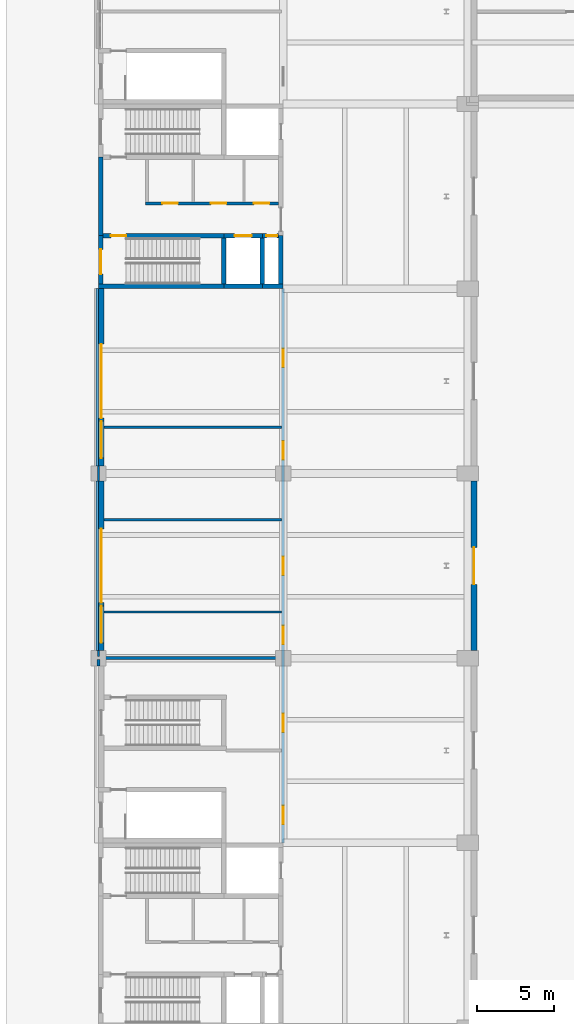
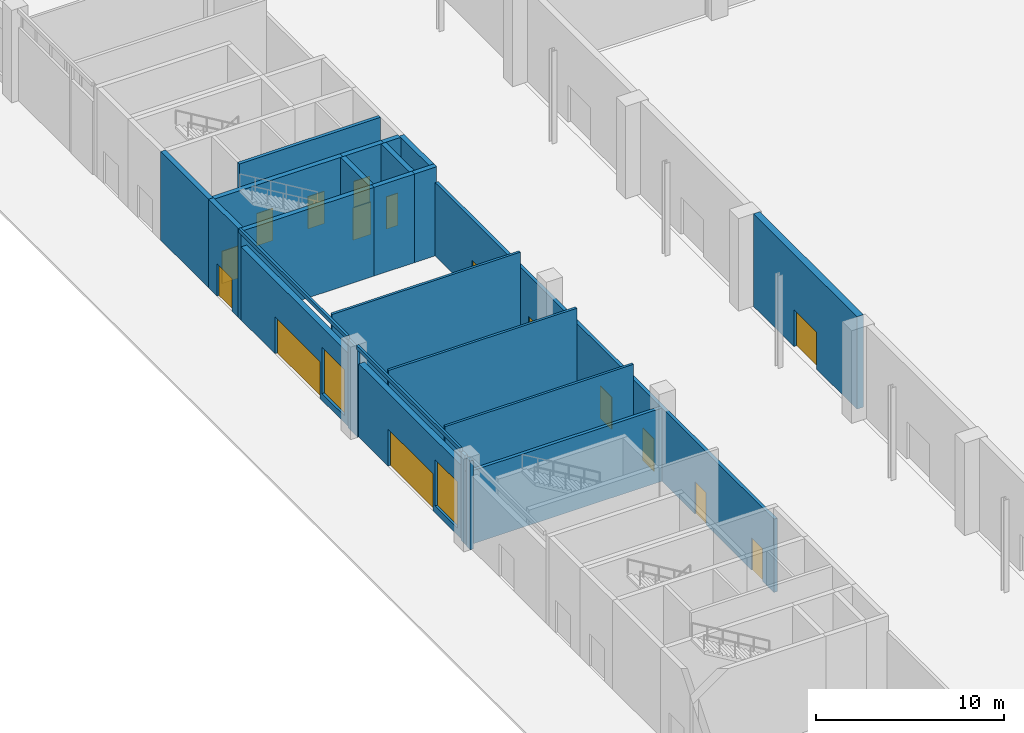
# One storey, part 36 of 59: 25 walls, 16 doors, 2 windows, 18 openings.
"""IFC4 building model written with IfcOpenShell, lengths in metres."""

from ifc_helpers import new_model, si_unit, direction, frame, frame_2d, origin, place, context, subcontext, project, spatial, rectangle, extrude, material, layer, layer_set, type_object, element, fill, save


model = new_model("IFC4")

# Units and contexts
model_context = context("Model", 3, precision=1e-05, world=origin(), true_north=direction((0.0, 1.0)))
body_context = subcontext(model_context, "Body", "Model", "MODEL_VIEW")
ifc_project = project(units=[si_unit("LENGTHUNIT", "METRE"), si_unit("AREAUNIT", "SQUARE_METRE"), si_unit("VOLUMEUNIT", "CUBIC_METRE"), si_unit("PLANEANGLEUNIT", "RADIAN"), si_unit("MASSUNIT", "GRAM", prefix="KILO")], contexts=[model_context])

# Site, building, storey
site_placement = place(None, origin())
site = spatial("IfcSite", under=ifc_project, at=site_placement, CompositionType="ELEMENT")
building_placement = place(site_placement, origin())
building = spatial("IfcBuilding", under=site, at=building_placement, Name="Lilac Gate Convention Centre", CompositionType="ELEMENT")
storey_placement = place(building_placement, origin())
storey = spatial("IfcBuildingStorey", under=building, at=storey_placement, Name="L00", CompositionType="ELEMENT", Elevation=0.0)

# Wall, opening, door
ifc_material_1 = material(Name="Concrete C30", Category="concrete")
ifc_layer_1 = layer(ifc_material_1, 0.39990234375)
ifc_layer_set_1 = layer_set([ifc_layer_1], Name="Concrete C30")
wall_type_1 = type_object("IfcWallType", Name="Hall fire wall 400", PredefinedType="SOLIDWALL", material=ifc_layer_set_1)
wall_1_placement = place(storey_placement, frame((30.39990234375, 66.5, 0.0), z_axis=(0.0, 0.0, 1.0), x_axis=(0.0, 1.0, 0.0)))
wall_1 = element("IfcWall", 1, at=wall_1_placement, inside=storey, type_object=wall_type_1, Name="Fire wall galleria FW L00 4", PredefinedType="SOLIDWALL", context=body_context, shape_type="SweptSolid", body=[
    extrude(rectangle(XDim=11.0, YDim=0.39990234375, at=frame_2d((5.5, 0.0))), origin(), (0.0, 0.0, 1.0), 6.0),
])
opening_1_placement = place(wall_1_placement, frame((4.300048828125, 0.0, 0.0)))
opening_1 = element("IfcOpeningElement", 2, at=opening_1_placement, cuts=wall_1, Name="Opening L00-023", PredefinedType="OPENING", context=body_context, shape_type="SweptSolid", body=[
    extrude(rectangle(XDim=2.39990234375, YDim=2.39990234375, at=frame_2d((1.199951171875, 1.199951171875))), frame((0.0, 0.2099609375, 0.0), z_axis=(0.0, -1.0, 0.0), x_axis=(1.0, 0.0, 0.0)), (0.0, 0.0, 1.0), 0.419921875),
])
ifc_material_2 = material(Name="Steel Q235B", Category="steel")
door_type_1 = type_object("IfcDoorType", Name="Door 2400 x 2400 double leaf FD90", OperationType="DOUBLE_DOOR_SINGLE_SWING", PredefinedType="DOOR", material=ifc_material_2)
door_1_placement = place(opening_1_placement, origin())
door_1 = element("IfcDoor", 3, at=door_1_placement, inside=storey, type_object=door_type_1, Name="Hall exit door L00-023", OperationType="DOUBLE_DOOR_SINGLE_SWING", OverallHeight=2.39990234375, OverallWidth=2.39990234375, PredefinedType="DOOR", context=body_context, shape_type="SweptSolid", body=[
    extrude(rectangle(XDim=2.39990234375, YDim=2.39990234375, at=frame_2d((1.199951171875, 1.199951171875))), frame((0.0, 0.02490234375, 0.0), z_axis=(0.0, -1.0, 0.0), x_axis=(1.0, 0.0, 0.0)), (0.0, 0.0, 1.0), 0.050048828125),
])
fill(opening_1, door_1)

# Walls
ifc_material_3 = material(Name="Fire-rated gypsum board on steel stud", Category="steel")
ifc_layer_2 = layer(ifc_material_3, 0.14990234375)
ifc_layer_set_2 = layer_set([ifc_layer_2], Name="Fire-rated gypsum board on steel stud")
wall_type_2 = type_object("IfcWallType", Name="Partition 150 fire-rated gypsum board EI 60", PredefinedType="PARTITIONING", material=ifc_layer_set_2)
for number, where, z_axis, x_axis, name in (
    (4, (6.35009765625, 69.0, 0.0), (0.0, 0.0, 1.0), (1.0, 0.0, 0.0), "Partition 150 fire-rated gypsum board EI 60"),
    (5, (6.35009765625, 75.0, 0.0), (0.0, 0.0, 1.0), (1.0, 0.0, 0.0), "Partition 150 fire-rated gypsum board EI 60"),
    (6, (6.35009765625, 81.0, 0.0), (0.0, 0.0, 1.0), (1.0, 0.0, 0.0), "Partition 150 fire-rated gypsum board EI 60"),
):
    element("IfcWall", number, at=place(storey_placement, frame(where, z_axis=z_axis, x_axis=x_axis)), inside=storey, type_object=wall_type_2, Name=name, PredefinedType="PARTITIONING", context=body_context, shape_type="SweptSolid", body=[
        extrude(rectangle(XDim=11.5498046875, YDim=0.14990234375, at=frame_2d((5.77490234375, 0.0))), origin(), (0.0, 0.0, 1.0), 5.75),
    ])
wall_2_placement = place(storey_placement, frame((6.0, 66.10009765625, 0.0), z_axis=(0.0, 0.0, 1.0), x_axis=(0.0, 1.0, 0.0)))
element("IfcWall", 7, at=wall_2_placement, inside=storey, type_object=wall_type_2, Name="Partition 150 fire-rated gypsum board EI 60", PredefinedType="PARTITIONING", context=body_context, shape_type="SweptSolid", body=[
    extrude(rectangle(XDim=0.39990234375, YDim=0.14990234375, at=frame_2d((0.199951171875, 0.0))), origin(), (0.0, 0.0, 1.0), 5.75),
])
wall_3_placement = place(storey_placement, frame((6.0, 77.5, 0.0), z_axis=(0.0, 0.0, 1.0), x_axis=(0.0, 1.0, 0.0)))
element("IfcWall", 8, at=wall_3_placement, inside=storey, type_object=wall_type_2, Name="Partition 150 fire-rated gypsum board EI 60", PredefinedType="PARTITIONING", context=body_context, shape_type="SweptSolid", body=[
    extrude(rectangle(XDim=1.0, YDim=0.14990234375, at=frame_2d((0.5, 0.0))), origin(), (0.0, 0.0, 1.0), 5.75),
])
ifc_material_4 = material(Name="Clay brick masonry", Category="masonry")
ifc_layer_3 = layer(ifc_material_4, 0.199951171875)
ifc_layer_set_3 = layer_set([ifc_layer_3], Name="Clay brick masonry")
wall_type_3 = type_object("IfcWallType", Name="Partition 200 brick EI 60", PredefinedType="PARTITIONING", material=ifc_layer_set_3)
wall_4_placement = place(storey_placement, frame((5.925048828125, 66.0, 0.0), z_axis=(0.0, 0.0, 1.0), x_axis=(1.0, 0.0, 0.0)))
element("IfcWall", 9, at=wall_4_placement, inside=storey, type_object=wall_type_3, Name="Partition 200 brick EI 60", PredefinedType="PARTITIONING", context=body_context, shape_type="SweptSolid", body=[
    extrude(rectangle(XDim=11.974853515625, YDim=0.199951171875, at=frame_2d((5.9873046875, 0.0))), origin(), (0.0, 0.0, 1.0), 4.75),
])

# Wall, openings, doors
wall_5_placement = place(storey_placement, frame((9.050048828125, 95.550048828125, 0.0), z_axis=(0.0, 0.0, 1.0), x_axis=(1.0, 0.0, 0.0)))
wall_5 = element("IfcWall", 10, at=wall_5_placement, inside=storey, type_object=wall_type_3, Name="Partition 200 brick EI 60", PredefinedType="PARTITIONING", context=body_context, shape_type="SweptSolid", body=[
    extrude(rectangle(XDim=8.64990234375, YDim=0.199951171875, at=frame_2d((4.324951171875, 0.0))), origin(), (0.0, 0.0, 1.0), 5.75),
])
opening_2_placement = place(wall_5_placement, frame((1.10009765625, 0.0, 0.0)))
opening_2 = element("IfcOpeningElement", 11, at=opening_2_placement, cuts=wall_5, Name="Opening L00-031", PredefinedType="OPENING", context=body_context, shape_type="SweptSolid", body=[
    extrude(rectangle(XDim=1.0, YDim=2.10009765625, at=frame_2d((0.5, 1.050048828125))), frame((0.0, 0.10986328125, 0.0), z_axis=(0.0, -1.0, 0.0), x_axis=(1.0, 0.0, 0.0)), (0.0, 0.0, 1.0), 0.219970703125),
])
opening_3_placement = place(wall_5_placement, frame((4.25, 0.0, 0.0)))
opening_3 = element("IfcOpeningElement", 12, at=opening_3_placement, cuts=wall_5, Name="Opening L00-032", PredefinedType="OPENING", context=body_context, shape_type="SweptSolid", body=[
    extrude(rectangle(XDim=1.0, YDim=2.10009765625, at=frame_2d((0.5, 1.050048828125))), frame((0.0, 0.10986328125, 0.0), z_axis=(0.0, -1.0, 0.0), x_axis=(1.0, 0.0, 0.0)), (0.0, 0.0, 1.0), 0.219970703125),
])
opening_4_placement = place(wall_5_placement, frame((7.050048828125, 0.0, 0.0)))
opening_4 = element("IfcOpeningElement", 13, at=opening_4_placement, cuts=wall_5, Name="Opening L00-033", PredefinedType="OPENING", context=body_context, shape_type="SweptSolid", body=[
    extrude(rectangle(XDim=1.0, YDim=2.10009765625, at=frame_2d((0.5, 1.050048828125))), frame((0.0, 0.10986328125, 0.0), z_axis=(0.0, -1.0, 0.0), x_axis=(1.0, 0.0, 0.0)), (0.0, 0.0, 1.0), 0.219970703125),
])
ifc_material_5 = material(Name="Timber fire door leaf", Category="wood")
door_type_2 = type_object("IfcDoorType", Name="Door 1000 x 2100 single leaf FD30", OperationType="SINGLE_SWING_LEFT", PredefinedType="DOOR", material=ifc_material_5)
door_2_placement = place(opening_2_placement, origin())
door_2 = element("IfcDoor", 14, at=door_2_placement, inside=storey, type_object=door_type_2, Name="WC door L00-031", OperationType="SINGLE_SWING_RIGHT", OverallHeight=2.10009765625, OverallWidth=1.0, PredefinedType="DOOR", context=body_context, shape_type="SweptSolid", body=[
    extrude(rectangle(XDim=1.0, YDim=2.10009765625, at=frame_2d((0.5, 1.050048828125))), frame((0.0, 0.02490234375, 0.0), z_axis=(0.0, -1.0, 0.0), x_axis=(1.0, 0.0, 0.0)), (0.0, 0.0, 1.0), 0.050048828125),
])
fill(opening_2, door_2)
door_3_placement = place(opening_3_placement, origin())
door_3 = element("IfcDoor", 15, at=door_3_placement, inside=storey, type_object=door_type_2, Name="WC door L00-032", OperationType="SINGLE_SWING_LEFT", OverallHeight=2.10009765625, OverallWidth=1.0, PredefinedType="DOOR", context=body_context, shape_type="SweptSolid", body=[
    extrude(rectangle(XDim=1.0, YDim=2.10009765625, at=frame_2d((0.5, 1.050048828125))), frame((0.0, 0.02490234375, 0.0), z_axis=(0.0, -1.0, 0.0), x_axis=(1.0, 0.0, 0.0)), (0.0, 0.0, 1.0), 0.050048828125),
])
fill(opening_3, door_3)
door_4_placement = place(opening_4_placement, origin())
door_4 = element("IfcDoor", 16, at=door_4_placement, inside=storey, type_object=door_type_2, Name="Accessible WC door L00-033", OperationType="SINGLE_SWING_LEFT", OverallHeight=2.10009765625, OverallWidth=1.0, PredefinedType="DOOR", context=body_context, shape_type="SweptSolid", body=[
    extrude(rectangle(XDim=1.0, YDim=2.10009765625, at=frame_2d((0.5, 1.050048828125))), frame((0.0, 0.02490234375, 0.0), z_axis=(0.0, -1.0, 0.0), x_axis=(1.0, 0.0, 0.0)), (0.0, 0.0, 1.0), 0.050048828125),
])
fill(opening_4, door_4)

# Wall
wall_6_placement = place(storey_placement, frame((6.0, 65.5, 0.0), z_axis=(0.0, 0.0, 1.0), x_axis=(0.0, 1.0, 0.0)))
element("IfcWall", 17, at=wall_6_placement, inside=storey, type_object=wall_type_3, Name="Partition 200 brick EI 60", PredefinedType="PARTITIONING", context=body_context, shape_type="SweptSolid", body=[
    extrude(rectangle(XDim=0.39990234375, YDim=0.199951171875, at=frame_2d((0.199951171875, 0.0))), origin(), (0.0, 0.0, 1.0), 5.75),
])

# Wall, openings, doors
wall_7_placement = place(storey_placement, frame((18.0, 54.0, 0.0), z_axis=(0.0, 0.0, 1.0), x_axis=(0.0, 1.0, 0.0)))
wall_7 = element("IfcWall", 18, at=wall_7_placement, inside=storey, type_object=wall_type_3, Name="Partition 200 brick EI 60", PredefinedType="PARTITIONING", context=body_context, shape_type="SweptSolid", body=[
    extrude(rectangle(XDim=36.0, YDim=0.199951171875, at=frame_2d((18.0, 0.0))), origin(), (0.0, 0.0, 1.0), 4.75),
])
opening_5_placement = place(wall_7_placement, frame((1.199951171875, 0.0, 0.0)))
opening_5 = element("IfcOpeningElement", 19, at=opening_5_placement, cuts=wall_7, Name="Opening L00-015", PredefinedType="OPENING", context=body_context, shape_type="SweptSolid", body=[
    extrude(rectangle(XDim=1.199951171875, YDim=2.10009765625, at=frame_2d((0.60009765625, 1.050048828125))), frame((0.0, 0.10986328125, 0.0), z_axis=(0.0, -1.0, 0.0), x_axis=(1.0, 0.0, 0.0)), (0.0, 0.0, 1.0), 0.219970703125),
])
opening_6_placement = place(wall_7_placement, frame((7.199951171875, 0.0, 0.0)))
opening_6 = element("IfcOpeningElement", 20, at=opening_6_placement, cuts=wall_7, Name="Opening L00-019", PredefinedType="OPENING", context=body_context, shape_type="SweptSolid", body=[
    extrude(rectangle(XDim=1.199951171875, YDim=2.10009765625, at=frame_2d((0.60009765625, 1.050048828125))), frame((0.0, 0.10986328125, 0.0), z_axis=(0.0, -1.0, 0.0), x_axis=(1.0, 0.0, 0.0)), (0.0, 0.0, 1.0), 0.219970703125),
])
opening_7_placement = place(wall_7_placement, frame((12.89990234375, 0.0, 0.0)))
opening_7 = element("IfcOpeningElement", 21, at=opening_7_placement, cuts=wall_7, Name="Opening L00-021", PredefinedType="OPENING", context=body_context, shape_type="SweptSolid", body=[
    extrude(rectangle(XDim=1.199951171875, YDim=2.10009765625, at=frame_2d((0.60009765625, 1.050048828125))), frame((0.0, 0.10986328125, 0.0), z_axis=(0.0, -1.0, 0.0), x_axis=(1.0, 0.0, 0.0)), (0.0, 0.0, 1.0), 0.219970703125),
])
opening_8_placement = place(wall_7_placement, frame((17.39990234375, 0.0, 0.0)))
opening_8 = element("IfcOpeningElement", 22, at=opening_8_placement, cuts=wall_7, Name="Opening L00-022", PredefinedType="OPENING", context=body_context, shape_type="SweptSolid", body=[
    extrude(rectangle(XDim=1.199951171875, YDim=2.10009765625, at=frame_2d((0.60009765625, 1.050048828125))), frame((0.0, 0.10986328125, 0.0), z_axis=(0.0, -1.0, 0.0), x_axis=(1.0, 0.0, 0.0)), (0.0, 0.0, 1.0), 0.219970703125),
])
opening_9_placement = place(wall_7_placement, frame((24.89990234375, 0.0, 0.0)))
opening_9 = element("IfcOpeningElement", 23, at=opening_9_placement, cuts=wall_7, Name="Opening L00-024", PredefinedType="OPENING", context=body_context, shape_type="SweptSolid", body=[
    extrude(rectangle(XDim=1.199951171875, YDim=2.10009765625, at=frame_2d((0.60009765625, 1.050048828125))), frame((0.0, 0.10986328125, 0.0), z_axis=(0.0, -1.0, 0.0), x_axis=(1.0, 0.0, 0.0)), (0.0, 0.0, 1.0), 0.219970703125),
])
opening_10_placement = place(wall_7_placement, frame((30.89990234375, 0.0, 0.0)))
opening_10 = element("IfcOpeningElement", 24, at=opening_10_placement, cuts=wall_7, Name="Opening L00-026", PredefinedType="OPENING", context=body_context, shape_type="SweptSolid", body=[
    extrude(rectangle(XDim=1.199951171875, YDim=2.10009765625, at=frame_2d((0.60009765625, 1.050048828125))), frame((0.0, 0.10986328125, 0.0), z_axis=(0.0, -1.0, 0.0), x_axis=(1.0, 0.0, 0.0)), (0.0, 0.0, 1.0), 0.219970703125),
])
door_type_3 = type_object("IfcDoorType", Name="Door 1200 x 2100 single leaf FD30", OperationType="SINGLE_SWING_LEFT", PredefinedType="DOOR", material=ifc_material_5)
door_5_placement = place(opening_7_placement, origin())
door_5 = element("IfcDoor", 25, at=door_5_placement, inside=storey, type_object=door_type_3, Name="Shop door L00-021", OperationType="SINGLE_SWING_LEFT", OverallHeight=2.10009765625, OverallWidth=1.199951171875, PredefinedType="DOOR", context=body_context, shape_type="SweptSolid", body=[
    extrude(rectangle(XDim=1.199951171875, YDim=2.10009765625, at=frame_2d((0.60009765625, 1.050048828125))), frame((0.0, 0.02490234375, 0.0), z_axis=(0.0, -1.0, 0.0), x_axis=(1.0, 0.0, 0.0)), (0.0, 0.0, 1.0), 0.050048828125),
])
fill(opening_7, door_5)
door_6_placement = place(opening_8_placement, origin())
door_6 = element("IfcDoor", 26, at=door_6_placement, inside=storey, type_object=door_type_3, Name="Shop door L00-022", OperationType="SINGLE_SWING_LEFT", OverallHeight=2.10009765625, OverallWidth=1.199951171875, PredefinedType="DOOR", context=body_context, shape_type="SweptSolid", body=[
    extrude(rectangle(XDim=1.199951171875, YDim=2.10009765625, at=frame_2d((0.60009765625, 1.050048828125))), frame((0.0, 0.02490234375, 0.0), z_axis=(0.0, -1.0, 0.0), x_axis=(1.0, 0.0, 0.0)), (0.0, 0.0, 1.0), 0.050048828125),
])
fill(opening_8, door_6)
door_7_placement = place(opening_9_placement, origin())
door_7 = element("IfcDoor", 27, at=door_7_placement, inside=storey, type_object=door_type_3, Name="Shop door L00-024", OperationType="SINGLE_SWING_LEFT", OverallHeight=2.10009765625, OverallWidth=1.199951171875, PredefinedType="DOOR", context=body_context, shape_type="SweptSolid", body=[
    extrude(rectangle(XDim=1.199951171875, YDim=2.10009765625, at=frame_2d((0.60009765625, 1.050048828125))), frame((0.0, 0.02490234375, 0.0), z_axis=(0.0, -1.0, 0.0), x_axis=(1.0, 0.0, 0.0)), (0.0, 0.0, 1.0), 0.050048828125),
])
fill(opening_9, door_7)
door_8_placement = place(opening_10_placement, frame((1.199951171875, 0.0, 0.0), z_axis=(0.0, 0.0, 1.0), x_axis=(-1.0, 0.0, 0.0)))
door_8 = element("IfcDoor", 28, at=door_8_placement, inside=storey, type_object=door_type_3, Name="Shop door L00-026", OperationType="SINGLE_SWING_LEFT", OverallHeight=2.10009765625, OverallWidth=1.199951171875, PredefinedType="DOOR", context=body_context, shape_type="SweptSolid", body=[
    extrude(rectangle(XDim=1.199951171875, YDim=2.10009765625, at=frame_2d((0.60009765625, 1.050048828125))), frame((0.0, 0.02490234375, 0.0), z_axis=(0.0, -1.0, 0.0), x_axis=(1.0, 0.0, 0.0)), (0.0, 0.0, 1.0), 0.050048828125),
])
fill(opening_10, door_8)
door_type_4 = type_object("IfcDoorType", Name="Door 1200 x 2100 single leaf FD60", OperationType="SINGLE_SWING_LEFT", PredefinedType="DOOR", material=ifc_material_5)
door_9_placement = place(opening_5_placement, origin())
door_9 = element("IfcDoor", 29, at=door_9_placement, inside=storey, type_object=door_type_4, Name="Lobby door L00-015", OperationType="SINGLE_SWING_RIGHT", OverallHeight=2.10009765625, OverallWidth=1.199951171875, PredefinedType="DOOR", context=body_context, shape_type="SweptSolid", body=[
    extrude(rectangle(XDim=1.199951171875, YDim=2.10009765625, at=frame_2d((0.60009765625, 1.050048828125))), frame((0.0, 0.02490234375, 0.0), z_axis=(0.0, -1.0, 0.0), x_axis=(1.0, 0.0, 0.0)), (0.0, 0.0, 1.0), 0.050048828125),
])
fill(opening_5, door_9)
door_10_placement = place(opening_6_placement, origin())
door_10 = element("IfcDoor", 30, at=door_10_placement, inside=storey, type_object=door_type_4, Name="Lobby door L00-019", OperationType="SINGLE_SWING_RIGHT", OverallHeight=2.10009765625, OverallWidth=1.199951171875, PredefinedType="DOOR", context=body_context, shape_type="SweptSolid", body=[
    extrude(rectangle(XDim=1.199951171875, YDim=2.10009765625, at=frame_2d((0.60009765625, 1.050048828125))), frame((0.0, 0.02490234375, 0.0), z_axis=(0.0, -1.0, 0.0), x_axis=(1.0, 0.0, 0.0)), (0.0, 0.0, 1.0), 0.050048828125),
])
fill(opening_6, door_10)

# Wall, openings, door, window
ifc_material_6 = material(Name="Ochre mineral render")
ifc_layer_4 = layer(ifc_material_6, 0.02001953125)
ifc_material_7 = material(Name="Concrete C40 precast", Category="concrete")
ifc_layer_5 = layer(ifc_material_7, 0.06005859375)
ifc_material_8 = material(Name="Ventilated air cavity")
ifc_layer_6 = layer(ifc_material_8, 0.030029296875)
ifc_material_9 = material(Name="Mineral wool insulation")
ifc_layer_7 = layer(ifc_material_9, 0.169921875)
ifc_material_10 = material(Name="Steel stud Q345 and gypsum lining", Category="steel")
ifc_layer_8 = layer(ifc_material_10, 0.070068359375)
ifc_layer_set_4 = layer_set([ifc_layer_4, ifc_layer_5, ifc_layer_6, ifc_layer_7, ifc_layer_8], Name="Ochre mineral render, Concrete C40 precast, Ventilated air cavity, Mineral wool insulation, Steel stud Q345 and gypsum lining")
wall_type_4 = type_object("IfcWallType", Name="Podium precast wall 350", PredefinedType="STANDARD", material=ifc_layer_set_4)
wall_8_placement = place(storey_placement, frame((6.175048828125, 90.0, 0.0), z_axis=(0.0, 0.0, 1.0), x_axis=(0.0, -1.0, 0.0)))
wall_8 = element("IfcWall", 31, at=wall_8_placement, inside=storey, type_object=wall_type_4, Name="External wall west PW L00 9", PredefinedType="STANDARD", context=body_context, shape_type="SweptSolid", body=[
    extrude(rectangle(XDim=11.5, YDim=0.35009765625, at=frame_2d((5.75, 0.0))), origin(), (0.0, 0.0, 1.0), 4.75),
])
opening_11_placement = place(wall_8_placement, frame((8.60009765625, 0.0, 0.449951171875)))
opening_11 = element("IfcOpeningElement", 32, at=opening_11_placement, cuts=wall_8, Name="Opening W6", PredefinedType="OPENING", context=body_context, shape_type="SweptSolid", body=[
    extrude(rectangle(XDim=2.39990234375, YDim=3.0, at=frame_2d((1.199951171875, 1.5))), frame((0.0, 0.18505859375, 0.0), z_axis=(0.0, -1.0, 0.0), x_axis=(1.0, 0.0, 0.0)), (0.0, 0.0, 1.0), 0.3701171875),
])
opening_12_placement = place(wall_8_placement, frame((3.60009765625, 0.0, 0.0)))
opening_12 = element("IfcOpeningElement", 33, at=opening_12_placement, cuts=wall_8, Name="Opening ED-010", PredefinedType="OPENING", context=body_context, shape_type="SweptSolid", body=[
    extrude(rectangle(XDim=4.800048828125, YDim=2.39990234375, at=frame_2d((2.39990234375, 1.199951171875))), frame((0.0, 0.18505859375, 0.0), z_axis=(0.0, -1.0, 0.0), x_axis=(1.0, 0.0, 0.0)), (0.0, 0.0, 1.0), 0.3701171875),
])
door_type_5 = type_object("IfcDoorType", Name="Exit door set 4800 x 2400", OperationType="DOUBLE_DOOR_SINGLE_SWING", PredefinedType="DOOR", material=ifc_material_2)
door_11_placement = place(opening_12_placement, frame((4.800048828125, 0.0, 0.0), z_axis=(0.0, 0.0, 1.0), x_axis=(-1.0, 0.0, 0.0)))
door_11 = element("IfcDoor", 34, at=door_11_placement, inside=storey, type_object=door_type_5, Name="Pedestrian exit doors G5", OperationType="DOUBLE_DOOR_SINGLE_SWING", OverallHeight=2.39990234375, OverallWidth=4.800048828125, PredefinedType="DOOR", context=body_context, shape_type="SweptSolid", body=[
    extrude(rectangle(XDim=4.800048828125, YDim=2.39990234375, at=frame_2d((2.39990234375, 1.199951171875))), frame((0.0, 0.02490234375, 0.0), z_axis=(0.0, -1.0, 0.0), x_axis=(1.0, 0.0, 0.0)), (0.0, 0.0, 1.0), 0.050048828125),
])
fill(opening_12, door_11)
ifc_material_11 = material(Name="Aluminium framed double glazing", Category="aluminium")
window_type = type_object("IfcWindowType", Name="Shopfront window 2400 x 3000", PartitioningType="TRIPLE_PANEL_VERTICAL", PredefinedType="WINDOW", material=ifc_material_11)
window_1_placement = place(opening_11_placement, origin())
window_1 = element("IfcWindow", 35, at=window_1_placement, inside=storey, type_object=window_type, Name="Window L00 west 81", OverallHeight=3.0, OverallWidth=2.39990234375, PartitioningType="SINGLE_PANEL", PredefinedType="WINDOW", context=body_context, shape_type="SweptSolid", body=[
    extrude(rectangle(XDim=2.39990234375, YDim=3.0, at=frame_2d((1.199951171875, 1.5))), frame((0.0, 0.030029296875, 0.0), z_axis=(0.0, -1.0, 0.0), x_axis=(1.0, 0.0, 0.0)), (0.0, 0.0, 1.0), 0.06005859375),
])
fill(opening_11, window_1)

wall_9_placement = place(storey_placement, frame((6.175048828125, 77.5, 0.0), z_axis=(0.0, 0.0, 1.0), x_axis=(0.0, -1.0, 0.0)))
wall_9 = element("IfcWall", 36, at=wall_9_placement, inside=storey, type_object=wall_type_4, Name="External wall west PW L00 10", PredefinedType="STANDARD", context=body_context, shape_type="SweptSolid", body=[
    extrude(rectangle(XDim=11.0, YDim=0.35009765625, at=frame_2d((5.5, 0.0))), origin(), (0.0, 0.0, 1.0), 4.75),
])
opening_13_placement = place(wall_9_placement, frame((8.10009765625, 0.0, 0.449951171875)))
opening_13 = element("IfcOpeningElement", 37, at=opening_13_placement, cuts=wall_9, Name="Opening W6", PredefinedType="OPENING", context=body_context, shape_type="SweptSolid", body=[
    extrude(rectangle(XDim=2.39990234375, YDim=3.0, at=frame_2d((1.199951171875, 1.5))), frame((0.0, 0.18505859375, 0.0), z_axis=(0.0, -1.0, 0.0), x_axis=(1.0, 0.0, 0.0)), (0.0, 0.0, 1.0), 0.3701171875),
])
opening_14_placement = place(wall_9_placement, frame((3.10009765625, 0.0, 0.0)))
opening_14 = element("IfcOpeningElement", 38, at=opening_14_placement, cuts=wall_9, Name="Opening ED-011", PredefinedType="OPENING", context=body_context, shape_type="SweptSolid", body=[
    extrude(rectangle(XDim=4.800048828125, YDim=2.39990234375, at=frame_2d((2.39990234375, 1.199951171875))), frame((0.0, 0.18505859375, 0.0), z_axis=(0.0, -1.0, 0.0), x_axis=(1.0, 0.0, 0.0)), (0.0, 0.0, 1.0), 0.3701171875),
])
door_12_placement = place(opening_14_placement, frame((4.800048828125, 0.0, 0.0), z_axis=(0.0, 0.0, 1.0), x_axis=(-1.0, 0.0, 0.0)))
door_12 = element("IfcDoor", 39, at=door_12_placement, inside=storey, type_object=door_type_5, Name="Pedestrian exit doors G6", OperationType="DOUBLE_DOOR_SINGLE_SWING", OverallHeight=2.39990234375, OverallWidth=4.800048828125, PredefinedType="DOOR", context=body_context, shape_type="SweptSolid", body=[
    extrude(rectangle(XDim=4.800048828125, YDim=2.39990234375, at=frame_2d((2.39990234375, 1.199951171875))), frame((0.0, 0.02490234375, 0.0), z_axis=(0.0, -1.0, 0.0), x_axis=(1.0, 0.0, 0.0)), (0.0, 0.0, 1.0), 0.050048828125),
])
fill(opening_14, door_12)
window_2_placement = place(opening_13_placement, origin())
window_2 = element("IfcWindow", 40, at=window_2_placement, inside=storey, type_object=window_type, Name="Window L00 west 69", OverallHeight=3.0, OverallWidth=2.39990234375, PartitioningType="SINGLE_PANEL", PredefinedType="WINDOW", context=body_context, shape_type="SweptSolid", body=[
    extrude(rectangle(XDim=2.39990234375, YDim=3.0, at=frame_2d((1.199951171875, 1.5))), frame((0.0, 0.030029296875, 0.0), z_axis=(0.0, -1.0, 0.0), x_axis=(1.0, 0.0, 0.0)), (0.0, 0.0, 1.0), 0.06005859375),
])
fill(opening_13, window_2)

# Walls
ifc_layer_9 = layer(ifc_material_7, 0.1298828125)
ifc_material_12 = material(Name="Teal glazed cladding")
ifc_layer_10 = layer(ifc_material_12, 0.02001953125)
ifc_layer_set_5 = layer_set([ifc_layer_9, ifc_layer_10], Name="Concrete C40 precast, Teal glazed cladding")
wall_type_5 = type_object("IfcWallType", Name="Precast band teal 150", PredefinedType="STANDARD", material=ifc_layer_set_5)
wall_10_placement = place(storey_placement, frame((5.925048828125, 90.0, 5.75), z_axis=(0.0, 0.0, 1.0), x_axis=(0.0, -1.0, 0.0)))
element("IfcWall", 41, at=wall_10_placement, inside=storey, type_object=wall_type_5, Name="Precast band PW L00 9", PredefinedType="STANDARD", context=body_context, shape_type="SweptSolid", body=[
    extrude(rectangle(XDim=11.5, YDim=0.14990234375, at=frame_2d((5.75, 0.0))), origin(), (0.0, 0.0, 1.0), 0.25),
])
wall_11_placement = place(storey_placement, frame((5.925048828125, 77.5, 5.75), z_axis=(0.0, 0.0, 1.0), x_axis=(0.0, -1.0, 0.0)))
element("IfcWall", 42, at=wall_11_placement, inside=storey, type_object=wall_type_5, Name="Precast band PW L00 10", PredefinedType="STANDARD", context=body_context, shape_type="SweptSolid", body=[
    extrude(rectangle(XDim=11.0, YDim=0.14990234375, at=frame_2d((5.5, 0.0))), origin(), (0.0, 0.0, 1.0), 0.25),
])
ifc_material_13 = material(Name="Concrete C40", Category="concrete")
ifc_layer_11 = layer(ifc_material_13, 0.300048828125)
ifc_layer_set_6 = layer_set([ifc_layer_11], Name="Concrete C40")
wall_type_6 = type_object("IfcWallType", Name="Shear wall 300 C40", PredefinedType="SHEAR", material=ifc_layer_set_6)
wall_12_placement = place(storey_placement, frame((6.0, 90.14990234375, 0.0), z_axis=(0.0, 0.0, 1.0), x_axis=(1.0, 0.0, 0.0)))
element("IfcWall", 43, at=wall_12_placement, inside=storey, type_object=wall_type_6, Name="SW1 shear wall W2 L00 1", PredefinedType="SHEAR", context=body_context, shape_type="SweptSolid", body=[
    extrude(rectangle(XDim=8.14990234375, YDim=0.300048828125, at=frame_2d((4.074951171875, 0.0))), origin(), (0.0, 0.0, 1.0), 5.75),
])
wall_13_placement = place(storey_placement, frame((14.14990234375, 90.14990234375, 0.0), z_axis=(0.0, 0.0, 1.0), x_axis=(1.0, 0.0, 0.0)))
element("IfcWall", 44, at=wall_13_placement, inside=storey, type_object=wall_type_6, Name="SW1 shear wall W2 L00 2", PredefinedType="SHEAR", context=body_context, shape_type="SweptSolid", body=[
    extrude(rectangle(XDim=2.5, YDim=0.300048828125, at=frame_2d((1.25, 0.0))), origin(), (0.0, 0.0, 1.0), 5.75),
])
wall_14_placement = place(storey_placement, frame((16.64990234375, 90.14990234375, 0.0), z_axis=(0.0, 0.0, 1.0), x_axis=(1.0, 0.0, 0.0)))
element("IfcWall", 45, at=wall_14_placement, inside=storey, type_object=wall_type_6, Name="SW1 shear wall W2 L00 3", PredefinedType="SHEAR", context=body_context, shape_type="SweptSolid", body=[
    extrude(rectangle(XDim=1.35009765625, YDim=0.300048828125, at=frame_2d((0.675048828125, 0.0))), origin(), (0.0, 0.0, 1.0), 5.75),
])

# Wall, opening, door
wall_15_placement = place(storey_placement, frame((6.300048828125, 93.449951171875, 0.0), z_axis=(0.0, 0.0, 1.0), x_axis=(1.0, 0.0, 0.0)))
wall_15 = element("IfcWall", 46, at=wall_15_placement, inside=storey, type_object=wall_type_6, Name="SW1 shear wall W2 L00 6", PredefinedType="SHEAR", context=body_context, shape_type="SweptSolid", body=[
    extrude(rectangle(XDim=7.849853515625, YDim=0.300048828125, at=frame_2d((3.9248046875, 0.0))), origin(), (0.0, 0.0, 1.0), 5.75),
])
opening_15_placement = place(wall_15_placement, frame((0.5, 0.0, 0.0)))
opening_15 = element("IfcOpeningElement", 47, at=opening_15_placement, cuts=wall_15, Name="Opening L00-028", PredefinedType="OPENING", context=body_context, shape_type="SweptSolid", body=[
    extrude(rectangle(XDim=1.0, YDim=2.10009765625, at=frame_2d((0.5, 1.050048828125))), frame((0.0, 0.159912109375, 0.0), z_axis=(0.0, -1.0, 0.0), x_axis=(1.0, 0.0, 0.0)), (0.0, 0.0, 1.0), 0.320068359375),
])
door_type_6 = type_object("IfcDoorType", Name="Door 1000 x 2100 single leaf FD60", OperationType="SINGLE_SWING_LEFT", PredefinedType="DOOR", material=ifc_material_5)
door_13_placement = place(opening_15_placement, frame((1.0, 0.0, 0.0), z_axis=(0.0, 0.0, 1.0), x_axis=(-1.0, 0.0, 0.0)))
door_13 = element("IfcDoor", 48, at=door_13_placement, inside=storey, type_object=door_type_6, Name="Stair door L00-028", OperationType="SINGLE_SWING_LEFT", OverallHeight=2.10009765625, OverallWidth=1.0, PredefinedType="DOOR", context=body_context, shape_type="SweptSolid", body=[
    extrude(rectangle(XDim=1.0, YDim=2.10009765625, at=frame_2d((0.5, 1.050048828125))), frame((0.0, 0.02490234375, 0.0), z_axis=(0.0, -1.0, 0.0), x_axis=(1.0, 0.0, 0.0)), (0.0, 0.0, 1.0), 0.050048828125),
])
fill(opening_15, door_13)

wall_16_placement = place(storey_placement, frame((14.14990234375, 93.449951171875, 0.0), z_axis=(0.0, 0.0, 1.0), x_axis=(1.0, 0.0, 0.0)))
wall_16 = element("IfcWall", 49, at=wall_16_placement, inside=storey, type_object=wall_type_6, Name="SW1 shear wall W2 L00 7", PredefinedType="SHEAR", context=body_context, shape_type="SweptSolid", body=[
    extrude(rectangle(XDim=2.5, YDim=0.300048828125, at=frame_2d((1.25, 0.0))), origin(), (0.0, 0.0, 1.0), 5.75),
])
opening_16_placement = place(wall_16_placement, frame((0.699951171875, 0.0, 0.0)))
opening_16 = element("IfcOpeningElement", 50, at=opening_16_placement, cuts=wall_16, Name="Opening LDW2-00", PredefinedType="OPENING", context=body_context, shape_type="SweptSolid", body=[
    extrude(rectangle(XDim=1.10009765625, YDim=2.10009765625, at=frame_2d((0.550048828125, 1.050048828125))), frame((0.0, 0.159912109375, 0.0), z_axis=(0.0, -1.0, 0.0), x_axis=(1.0, 0.0, 0.0)), (0.0, 0.0, 1.0), 0.320068359375),
])
ifc_material_14 = material(Name="Stainless steel 304", Category="steel")
door_type_7 = type_object("IfcDoorType", Name="Lift landing door 1100 x 2100", OperationType="SLIDING_TO_LEFT", PredefinedType="DOOR", material=ifc_material_14)
door_14_placement = place(opening_16_placement, origin())
door_14 = element("IfcDoor", 51, at=door_14_placement, inside=storey, type_object=door_type_7, Name="Lift landing door LDW2-00", OperationType="SLIDING_TO_LEFT", OverallHeight=2.10009765625, OverallWidth=1.10009765625, PredefinedType="DOOR", context=body_context, shape_type="SweptSolid", body=[
    extrude(rectangle(XDim=1.10009765625, YDim=2.10009765625, at=frame_2d((0.550048828125, 1.050048828125))), frame((0.0, 0.02490234375, 0.0), z_axis=(0.0, -1.0, 0.0), x_axis=(1.0, 0.0, 0.0)), (0.0, 0.0, 1.0), 0.050048828125),
])
fill(opening_16, door_14)

wall_17_placement = place(storey_placement, frame((16.64990234375, 93.449951171875, 0.0), z_axis=(0.0, 0.0, 1.0), x_axis=(1.0, 0.0, 0.0)))
wall_17 = element("IfcWall", 52, at=wall_17_placement, inside=storey, type_object=wall_type_6, Name="SW1 shear wall W2 L00 8", PredefinedType="SHEAR", context=body_context, shape_type="SweptSolid", body=[
    extrude(rectangle(XDim=1.050048828125, YDim=0.300048828125, at=frame_2d((0.52490234375, 0.0))), origin(), (0.0, 0.0, 1.0), 5.75),
])
opening_17_placement = place(wall_17_placement, frame((0.25, 0.0, 0.0)))
opening_17 = element("IfcOpeningElement", 53, at=opening_17_placement, cuts=wall_17, Name="Opening L00-029", PredefinedType="OPENING", context=body_context, shape_type="SweptSolid", body=[
    extrude(rectangle(XDim=0.699951171875, YDim=2.10009765625, at=frame_2d((0.35009765625, 1.050048828125))), frame((0.0, 0.159912109375, 0.0), z_axis=(0.0, -1.0, 0.0), x_axis=(1.0, 0.0, 0.0)), (0.0, 0.0, 1.0), 0.320068359375),
])
door_type_8 = type_object("IfcDoorType", Name="Door 700 x 2100 single leaf FD30", OperationType="SINGLE_SWING_LEFT", PredefinedType="DOOR", material=ifc_material_5)
door_15_placement = place(opening_17_placement, frame((0.699951171875, 0.0, 0.0), z_axis=(0.0, 0.0, 1.0), x_axis=(-1.0, 0.0, 0.0)))
door_15 = element("IfcDoor", 54, at=door_15_placement, inside=storey, type_object=door_type_8, Name="Riser access door L00-029", OperationType="SINGLE_SWING_LEFT", OverallHeight=2.10009765625, OverallWidth=0.699951171875, PredefinedType="DOOR", context=body_context, shape_type="SweptSolid", body=[
    extrude(rectangle(XDim=0.699951171875, YDim=2.10009765625, at=frame_2d((0.35009765625, 1.050048828125))), frame((0.0, 0.02490234375, 0.0), z_axis=(0.0, -1.0, 0.0), x_axis=(1.0, 0.0, 0.0)), (0.0, 0.0, 1.0), 0.050048828125),
])
fill(opening_17, door_15)

wall_18_placement = place(storey_placement, frame((6.14990234375, 90.300048828125, 0.0), z_axis=(0.0, 0.0, 1.0), x_axis=(0.0, 1.0, 0.0)))
wall_18 = element("IfcWall", 55, at=wall_18_placement, inside=storey, type_object=wall_type_6, Name="SW1 shear wall W2 L00 11", PredefinedType="SHEAR", context=body_context, shape_type="SweptSolid", body=[
    extrude(rectangle(XDim=3.14990234375, YDim=0.300048828125, at=frame_2d((1.574951171875, 0.0))), origin(), (0.0, 0.0, 1.0), 5.75),
])
opening_18_placement = place(wall_18_placement, frame((0.64990234375, 0.0, 0.0)))
opening_18 = element("IfcOpeningElement", 56, at=opening_18_placement, cuts=wall_18, Name="Opening L00-027", PredefinedType="OPENING", context=body_context, shape_type="SweptSolid", body=[
    extrude(rectangle(XDim=1.60009765625, YDim=2.10009765625, at=frame_2d((0.800048828125, 1.050048828125))), frame((0.0, 0.159912109375, 0.0), z_axis=(0.0, -1.0, 0.0), x_axis=(1.0, 0.0, 0.0)), (0.0, 0.0, 1.0), 0.320068359375),
])
door_type_9 = type_object("IfcDoorType", Name="Door 1600 x 2100 double leaf FD60", OperationType="DOUBLE_DOOR_SINGLE_SWING", PredefinedType="DOOR", material=ifc_material_5)
door_16_placement = place(opening_18_placement, origin())
door_16 = element("IfcDoor", 57, at=door_16_placement, inside=storey, type_object=door_type_9, Name="Stair exit door L00-027", OperationType="DOUBLE_DOOR_SINGLE_SWING", OverallHeight=2.10009765625, OverallWidth=1.60009765625, PredefinedType="DOOR", context=body_context, shape_type="SweptSolid", body=[
    extrude(rectangle(XDim=1.60009765625, YDim=2.10009765625, at=frame_2d((0.800048828125, 1.050048828125))), frame((0.0, 0.02490234375, 0.0), z_axis=(0.0, -1.0, 0.0), x_axis=(1.0, 0.0, 0.0)), (0.0, 0.0, 1.0), 0.050048828125),
])
fill(opening_18, door_16)

# Walls
wall_19_placement = place(storey_placement, frame((6.14990234375, 93.449951171875, 0.0), z_axis=(0.0, 0.0, 1.0), x_axis=(0.0, 1.0, 0.0)))
element("IfcWall", 58, at=wall_19_placement, inside=storey, type_object=wall_type_6, Name="SW1 shear wall W2 L00 12", PredefinedType="SHEAR", context=body_context, shape_type="SweptSolid", body=[
    extrude(rectangle(XDim=5.10009765625, YDim=0.300048828125, at=frame_2d((2.550048828125, 0.0))), origin(), (0.0, 0.0, 1.0), 5.75),
])
wall_20_placement = place(storey_placement, frame((17.85009765625, 90.300048828125, 0.0), z_axis=(0.0, 0.0, 1.0), x_axis=(0.0, 1.0, 0.0)))
element("IfcWall", 59, at=wall_20_placement, inside=storey, type_object=wall_type_6, Name="SW1 shear wall W2 L00 14", PredefinedType="SHEAR", context=body_context, shape_type="SweptSolid", body=[
    extrude(rectangle(XDim=3.14990234375, YDim=0.300048828125, at=frame_2d((1.574951171875, 0.0))), origin(), (0.0, 0.0, 1.0), 5.75),
])
for number, where, z_axis, x_axis, name in (
    (60, (14.14990234375, 90.300048828125, 0.0), (0.0, 0.0, 1.0), (0.0, 1.0, 0.0), "SW1 shear wall W2 L00 17"),
    (61, (16.64990234375, 90.300048828125, 0.0), (0.0, 0.0, 1.0), (0.0, 1.0, 0.0), "SW1 shear wall W2 L00 19"),
):
    element("IfcWall", number, at=place(storey_placement, frame(where, z_axis=z_axis, x_axis=x_axis)), inside=storey, type_object=wall_type_6, Name=name, PredefinedType="SHEAR", context=body_context, shape_type="SweptSolid", body=[
        extrude(rectangle(XDim=3.0, YDim=0.300048828125, at=frame_2d((1.5, 0.0))), origin(), (0.0, 0.0, 1.0), 5.75),
    ])

save(model, "model.ifc")
